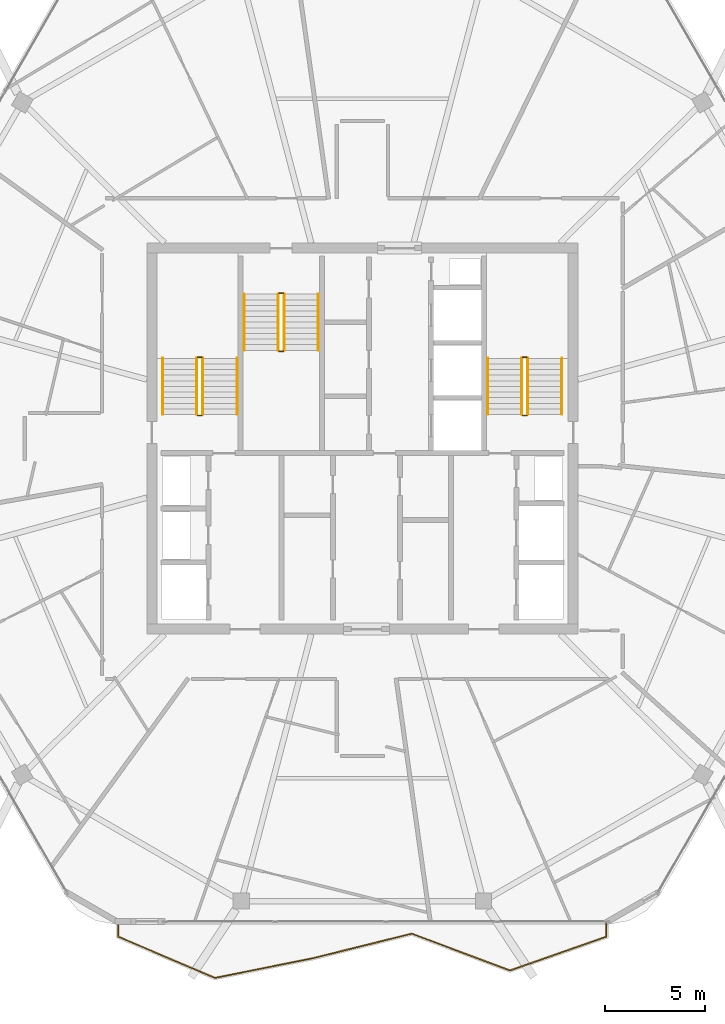
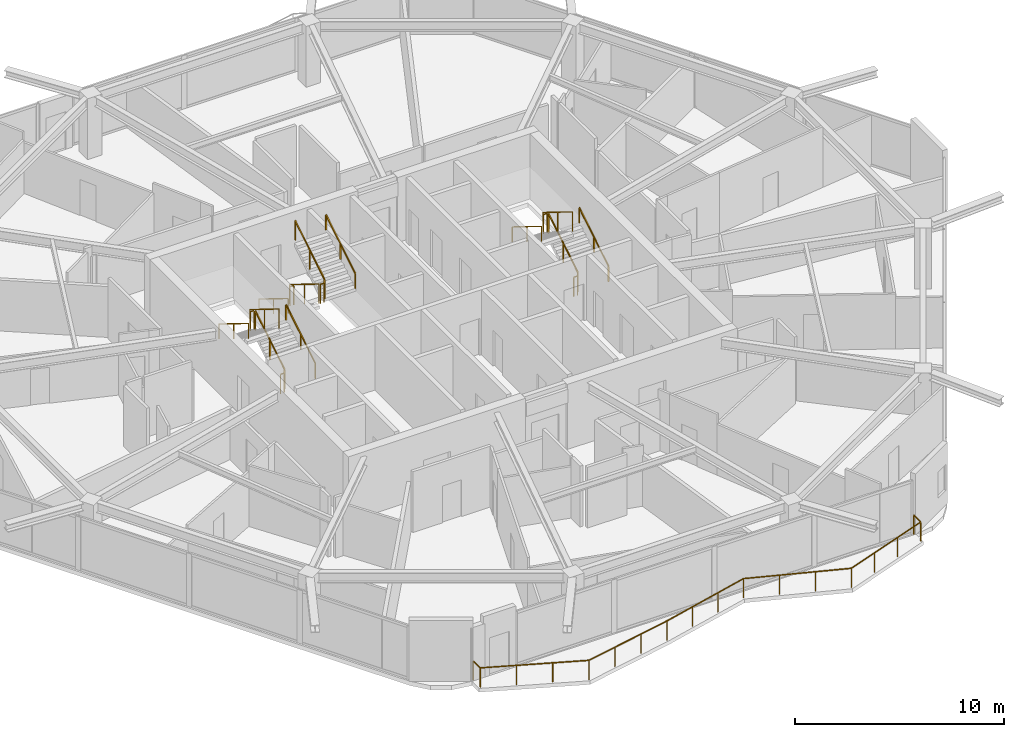
# One storey, part 19 of 20: 19 railings.
"""IFC4 building model written with IfcOpenShell, lengths in metres."""

from ifc_helpers import new_model, si_unit, direction, frame, origin, origin_2d, place, context, subcontext, project, spatial, rectangle, extrude, material, type_object, element, save


model = new_model("IFC4")

# Units and contexts
model_context = context("Model", 3, precision=1e-05, world=origin(), true_north=direction((0.0, 1.0)))
body_context = subcontext(model_context, "Body", "Model", "MODEL_VIEW")
ifc_project = project(units=[si_unit("LENGTHUNIT", "METRE"), si_unit("AREAUNIT", "SQUARE_METRE"), si_unit("VOLUMEUNIT", "CUBIC_METRE"), si_unit("PLANEANGLEUNIT", "RADIAN"), si_unit("MASSUNIT", "GRAM", prefix="KILO")], contexts=[model_context])

# Site, building, storey
site_placement = place(None, origin())
site = spatial("IfcSite", under=ifc_project, at=site_placement, CompositionType="ELEMENT")
building_placement = place(site_placement, origin())
building = spatial("IfcBuilding", under=site, at=building_placement, Name="Zuhravey Tower", CompositionType="ELEMENT")
storey_placement = place(building_placement, frame((0.0, 0.0, 312.0)))
storey = spatial("IfcBuildingStorey", under=building, at=storey_placement, Name="L79", CompositionType="ELEMENT", Elevation=312.0)

# Railings
ifc_material_1 = material(Name="Stainless steel 316 and laminated glass", Category="steel")
railing_type_1 = type_object("IfcRailingType", Name="Balcony & Terrace Guardrail 1150", PredefinedType="BALUSTRADE", material=ifc_material_1)
railing_1_placement = place(storey_placement, frame((48.168212890625, 7.8408203125, 0.0)))
element("IfcRailing", 1, at=railing_1_placement, inside=storey, type_object=railing_type_1, Name="L79 Face 5 Wave Balcony Guardrail GR1", PredefinedType="BALUSTRADE", context=body_context, shape_type="SweptSolid", body=[
    extrude(rectangle(XDim=0.048095703125, YDim=0.048095703125, at=origin_2d()), frame((0.0, -0.001953125, 1.1259765625), z_axis=(0.0, -1.0, 0.0), x_axis=(1.0, 0.0, 0.0)), (0.0, 0.0, 1.0), 0.6650390625),
    extrude(rectangle(XDim=0.048095703125, YDim=0.048095703125, at=origin_2d()), frame((-0.001953125, -0.669677734375, 1.1259765625), z_axis=(-0.943440694039, -0.331541335028, 0.0), x_axis=(0.331541335028, -0.943440694039, 0.0)), (0.0, 0.0, 1.0), 5.09033203125),
    extrude(rectangle(XDim=0.048095703125, YDim=0.048095703125, at=origin_2d()), frame((-4.80810546875, -2.357177734375, 1.1259765625), z_axis=(-0.936513049823, 0.35063272453, 0.0), x_axis=(-0.35063272453, -0.936513049823, 0.0)), (0.0, 0.0, 1.0), 5.230712890625),
    extrude(rectangle(XDim=0.048095703125, YDim=0.048095703125, at=origin_2d()), frame((-9.71044921875, -0.52294921875, 1.1259765625), z_axis=(-0.970511326797, -0.241055521734, 0.0), x_axis=(0.241055521734, -0.970511326797, 0.0)), (0.0, 0.0, 1.0), 5.081298828125),
    extrude(rectangle(XDim=0.048095703125, YDim=0.048095703125, at=origin_2d()), frame((-14.645751953125, -1.748779296875, 1.1259765625), z_axis=(-0.980364792709, -0.197192477588, 0.0), x_axis=(0.197192477588, -0.980364792709, 0.0)), (0.0, 0.0, 1.0), 4.96826171875),
    extrude(rectangle(XDim=0.048095703125, YDim=0.048095703125, at=origin_2d()), frame((-19.520263671875, -2.72802734375, 1.1259765625), z_axis=(-0.919833117153, 0.392309873173, 0.0), x_axis=(-0.392309873173, -0.919833117153, 0.0)), (0.0, 0.0, 1.0), 5.234130859375),
    extrude(rectangle(XDim=0.048095703125, YDim=0.048095703125, at=origin_2d()), frame((-24.33642578125, -0.671875, 1.1259765625), z_axis=(0.0, 1.0, 0.0), x_axis=(-1.0, 0.0, 0.0)), (0.0, 0.0, 1.0), 0.669921875),
    extrude(rectangle(XDim=0.0419921875, YDim=0.0419921875, at=origin_2d()), origin(), (0.0, 0.0, 1.0), 1.099853515625),
    extrude(rectangle(XDim=0.0419921875, YDim=0.0419921875, at=origin_2d()), frame((0.0, -0.6689453125, 0.0)), (0.0, 0.0, 1.0), 1.099853515625),
    extrude(rectangle(XDim=0.0419921875, YDim=0.0419921875, at=origin_2d()), frame((-1.60205078125, -1.23193359375, 0.0)), (0.0, 0.0, 1.0), 1.099853515625),
    extrude(rectangle(XDim=0.0419921875, YDim=0.0419921875, at=origin_2d()), frame((-3.2041015625, -1.794921875, 0.0)), (0.0, 0.0, 1.0), 1.099853515625),
    extrude(rectangle(XDim=0.0419921875, YDim=0.0419921875, at=origin_2d()), frame((-4.80615234375, -2.35791015625, 0.0)), (0.0, 0.0, 1.0), 1.099853515625),
    extrude(rectangle(XDim=0.0419921875, YDim=0.0419921875, at=origin_2d()), frame((-6.440185546875, -1.74609375, 0.0)), (0.0, 0.0, 1.0), 1.099853515625),
    extrude(rectangle(XDim=0.0419921875, YDim=0.0419921875, at=origin_2d()), frame((-8.074462890625, -1.13427734375, 0.0)), (0.0, 0.0, 1.0), 1.099853515625),
    extrude(rectangle(XDim=0.0419921875, YDim=0.0419921875, at=origin_2d()), frame((-9.70849609375, -0.5224609375, 0.0)), (0.0, 0.0, 1.0), 1.099853515625),
    extrude(rectangle(XDim=0.0419921875, YDim=0.0419921875, at=origin_2d()), frame((-11.353515625, -0.93115234375, 0.0)), (0.0, 0.0, 1.0), 1.099853515625),
    extrude(rectangle(XDim=0.0419921875, YDim=0.0419921875, at=origin_2d()), frame((-12.998779296875, -1.339599609375, 0.0)), (0.0, 0.0, 1.0), 1.099853515625),
    extrude(rectangle(XDim=0.0419921875, YDim=0.0419921875, at=origin_2d()), frame((-14.643798828125, -1.748291015625, 0.0)), (0.0, 0.0, 1.0), 1.099853515625),
    extrude(rectangle(XDim=0.0419921875, YDim=0.0419921875, at=origin_2d()), frame((-16.2685546875, -2.0751953125, 0.0)), (0.0, 0.0, 1.0), 1.099853515625),
    extrude(rectangle(XDim=0.0419921875, YDim=0.0419921875, at=origin_2d()), frame((-17.8935546875, -2.40185546875, 0.0)), (0.0, 0.0, 1.0), 1.099853515625),
    extrude(rectangle(XDim=0.0419921875, YDim=0.0419921875, at=origin_2d()), frame((-19.518310546875, -2.728759765625, 0.0)), (0.0, 0.0, 1.0), 1.099853515625),
    extrude(rectangle(XDim=0.0419921875, YDim=0.0419921875, at=origin_2d()), frame((-21.124267578125, -2.043701171875, 0.0)), (0.0, 0.0, 1.0), 1.099853515625),
    extrude(rectangle(XDim=0.0419921875, YDim=0.0419921875, at=origin_2d()), frame((-22.73046875, -1.35888671875, 0.0)), (0.0, 0.0, 1.0), 1.099853515625),
    extrude(rectangle(XDim=0.0419921875, YDim=0.0419921875, at=origin_2d()), frame((-24.33642578125, -0.673828125, 0.0)), (0.0, 0.0, 1.0), 1.099853515625),
    extrude(rectangle(XDim=0.0419921875, YDim=0.0419921875, at=origin_2d()), frame((-24.33642578125, 0.0, 0.0)), (0.0, 0.0, 1.0), 1.099853515625),
])
ifc_material_2 = material(Name="Brushed stainless steel", Category="steel")
railing_type_2 = type_object("IfcRailingType", Name="Stair Wall Handrail 900", PredefinedType="HANDRAIL", material=ifc_material_2)
railing_2_placement = place(storey_placement, frame((29.75, 33.199951171875, 0.172607421875)))
element("IfcRailing", 2, at=railing_2_placement, inside=storey, type_object=railing_type_2, Name="L79 ST1 stair handrail 1", PredefinedType="HANDRAIL", context=body_context, shape_type="SweptSolid", body=[
    extrude(rectangle(XDim=0.048095703125, YDim=0.048095703125, at=origin_2d()), frame((0.0, 0.001708984375, 0.876953125), z_axis=(0.0, 0.851089632645, 0.525020415988), x_axis=(-1.0, 0.0, 0.0)), (0.0, 0.0, 1.0), 3.285888671875),
    extrude(rectangle(XDim=0.0419921875, YDim=0.0419921875, at=origin_2d()), origin(), (0.0, 0.0, 1.0), 0.849853515625),
    extrude(rectangle(XDim=0.0419921875, YDim=0.0419921875, at=origin_2d()), frame((0.0, 1.39990234375, 0.86376953125)), (0.0, 0.0, 1.0), 0.849853515625),
    extrude(rectangle(XDim=0.0419921875, YDim=0.0419921875, at=origin_2d()), frame((0.0, 2.800048828125, 1.727294921875)), (0.0, 0.0, 1.0), 0.849853515625),
])
railing_3_placement = place(storey_placement, frame((26.050048828125, 36.0, 2.07275390625)))
element("IfcRailing", 3, at=railing_3_placement, inside=storey, type_object=railing_type_2, Name="L79 ST1 stair handrail 2", PredefinedType="HANDRAIL", context=body_context, shape_type="SweptSolid", body=[
    extrude(rectangle(XDim=0.048095703125, YDim=0.048095703125, at=origin_2d()), frame((0.0, -0.001708984375, 0.876953125), z_axis=(0.0, -0.851089632645, 0.525020415988), x_axis=(1.0, 0.0, 0.0)), (0.0, 0.0, 1.0), 3.285888671875),
    extrude(rectangle(XDim=0.0419921875, YDim=0.0419921875, at=origin_2d()), origin(), (0.0, 0.0, 1.0), 0.849853515625),
    extrude(rectangle(XDim=0.0419921875, YDim=0.0419921875, at=origin_2d()), frame((0.0, -1.39990234375, 0.86376953125)), (0.0, 0.0, 1.0), 0.849853515625),
    extrude(rectangle(XDim=0.0419921875, YDim=0.0419921875, at=origin_2d()), frame((0.0, -2.800048828125, 1.727294921875)), (0.0, 0.0, 1.0), 0.849853515625),
])
railing_4_placement = place(storey_placement, frame((45.949951171875, 33.199951171875, 0.172607421875)))
element("IfcRailing", 4, at=railing_4_placement, inside=storey, type_object=railing_type_2, Name="L79 ST2 stair handrail 1", PredefinedType="HANDRAIL", context=body_context, shape_type="SweptSolid", body=[
    extrude(rectangle(XDim=0.048095703125, YDim=0.048095703125, at=origin_2d()), frame((0.0, 0.001708984375, 0.876953125), z_axis=(0.0, 0.851089632645, 0.525020415988), x_axis=(-1.0, 0.0, 0.0)), (0.0, 0.0, 1.0), 3.285888671875),
    extrude(rectangle(XDim=0.0419921875, YDim=0.0419921875, at=origin_2d()), origin(), (0.0, 0.0, 1.0), 0.849853515625),
    extrude(rectangle(XDim=0.0419921875, YDim=0.0419921875, at=origin_2d()), frame((0.0, 1.39990234375, 0.86376953125)), (0.0, 0.0, 1.0), 0.849853515625),
    extrude(rectangle(XDim=0.0419921875, YDim=0.0419921875, at=origin_2d()), frame((0.0, 2.800048828125, 1.727294921875)), (0.0, 0.0, 1.0), 0.849853515625),
])
for number, where, name in (
    (5, (42.25, 36.0, 2.07275390625), "L79 ST2 stair handrail 2"),
    (6, (30.10009765625, 39.199951171875, 0.172607421875), "L79 ST3 stair handrail 1"),
):
    element("IfcRailing", number, at=place(storey_placement, frame(where)), inside=storey, type_object=railing_type_2, Name=name, PredefinedType="HANDRAIL", context=body_context, shape_type="SweptSolid", body=[
        extrude(rectangle(XDim=0.048095703125, YDim=0.048095703125, at=origin_2d()), frame((0.0, -0.001708984375, 0.876953125), z_axis=(0.0, -0.851089632645, 0.525020415988), x_axis=(1.0, 0.0, 0.0)), (0.0, 0.0, 1.0), 3.285888671875),
        extrude(rectangle(XDim=0.0419921875, YDim=0.0419921875, at=origin_2d()), origin(), (0.0, 0.0, 1.0), 0.849853515625),
        extrude(rectangle(XDim=0.0419921875, YDim=0.0419921875, at=origin_2d()), frame((0.0, -1.39990234375, 0.86376953125)), (0.0, 0.0, 1.0), 0.849853515625),
        extrude(rectangle(XDim=0.0419921875, YDim=0.0419921875, at=origin_2d()), frame((0.0, -2.800048828125, 1.727294921875)), (0.0, 0.0, 1.0), 0.849853515625),
    ])
railing_5_placement = place(storey_placement, frame((33.800048828125, 36.39990234375, 2.07275390625)))
element("IfcRailing", 7, at=railing_5_placement, inside=storey, type_object=railing_type_2, Name="L79 ST3 stair handrail 2", PredefinedType="HANDRAIL", context=body_context, shape_type="SweptSolid", body=[
    extrude(rectangle(XDim=0.048095703125, YDim=0.048095703125, at=origin_2d()), frame((0.0, 0.001708984375, 0.876953125), z_axis=(0.0, 0.851089632645, 0.525020415988), x_axis=(-1.0, 0.0, 0.0)), (0.0, 0.0, 1.0), 3.285888671875),
    extrude(rectangle(XDim=0.0419921875, YDim=0.0419921875, at=origin_2d()), origin(), (0.0, 0.0, 1.0), 0.849853515625),
    extrude(rectangle(XDim=0.0419921875, YDim=0.0419921875, at=origin_2d()), frame((0.0, 1.39990234375, 0.86376953125)), (0.0, 0.0, 1.0), 0.849853515625),
    extrude(rectangle(XDim=0.0419921875, YDim=0.0419921875, at=origin_2d()), frame((0.0, 2.800048828125, 1.727294921875)), (0.0, 0.0, 1.0), 0.849853515625),
])
ifc_material_3 = material(Name="Painted tubular steel", Category="steel")
railing_type_3 = type_object("IfcRailingType", Name="Stair Well Guardrail 1150", PredefinedType="GUARDRAIL", material=ifc_material_3)
railing_6_placement = place(storey_placement, frame((28.050048828125, 33.199951171875, 0.172607421875)))
element("IfcRailing", 8, at=railing_6_placement, inside=storey, type_object=railing_type_3, Name="L79 ST1 stair guard 1", PredefinedType="GUARDRAIL", context=body_context, shape_type="SweptSolid", body=[
    extrude(rectangle(XDim=0.048095703125, YDim=0.048095703125, at=origin_2d()), frame((0.0, 0.001708984375, 1.126953125), z_axis=(0.0, 0.851089632645, 0.525020415988), x_axis=(-1.0, 0.0, 0.0)), (0.0, 0.0, 1.0), 3.285888671875),
    extrude(rectangle(XDim=0.0419921875, YDim=0.0419921875, at=origin_2d()), origin(), (0.0, 0.0, 1.0), 1.099853515625),
    extrude(rectangle(XDim=0.0419921875, YDim=0.0419921875, at=origin_2d()), frame((0.0, 1.39990234375, 0.86376953125)), (0.0, 0.0, 1.0), 1.099853515625),
    extrude(rectangle(XDim=0.0419921875, YDim=0.0419921875, at=origin_2d()), frame((0.0, 2.800048828125, 1.727294921875)), (0.0, 0.0, 1.0), 1.099853515625),
])
railing_7_placement = place(storey_placement, frame((28.0, 36.050048828125, 1.89990234375)))
element("IfcRailing", 9, at=railing_7_placement, inside=storey, type_object=railing_type_3, Name="L79 ST1 stair guard 2", PredefinedType="GUARDRAIL", context=body_context, shape_type="SweptSolid", body=[
    extrude(rectangle(XDim=0.048095703125, YDim=0.048095703125, at=origin_2d()), frame((-0.001953125, 0.0, 1.1259765625), z_axis=(-1.0, 0.0, 0.0), x_axis=(0.0, -1.0, 0.0)), (0.0, 0.0, 1.0), 0.196044921875),
    extrude(rectangle(XDim=0.0419921875, YDim=0.0419921875, at=origin_2d()), origin(), (0.0, 0.0, 1.0), 1.099853515625),
    extrude(rectangle(XDim=0.0419921875, YDim=0.0419921875, at=origin_2d()), frame((-0.199951171875, 0.0, 0.0)), (0.0, 0.0, 1.0), 1.099853515625),
])
railing_8_placement = place(storey_placement, frame((27.75, 36.0, 2.07275390625)))
element("IfcRailing", 10, at=railing_8_placement, inside=storey, type_object=railing_type_3, Name="L79 ST1 stair guard 3", PredefinedType="GUARDRAIL", context=body_context, shape_type="SweptSolid", body=[
    extrude(rectangle(XDim=0.048095703125, YDim=0.048095703125, at=origin_2d()), frame((0.0, -0.001708984375, 1.126953125), z_axis=(0.0, -0.851089632645, 0.525020415988), x_axis=(1.0, 0.0, 0.0)), (0.0, 0.0, 1.0), 3.285888671875),
    extrude(rectangle(XDim=0.0419921875, YDim=0.0419921875, at=origin_2d()), origin(), (0.0, 0.0, 1.0), 1.099853515625),
    extrude(rectangle(XDim=0.0419921875, YDim=0.0419921875, at=origin_2d()), frame((0.0, -1.39990234375, 0.86376953125)), (0.0, 0.0, 1.0), 1.099853515625),
    extrude(rectangle(XDim=0.0419921875, YDim=0.0419921875, at=origin_2d()), frame((0.0, -2.800048828125, 1.727294921875)), (0.0, 0.0, 1.0), 1.099853515625),
])
railing_9_placement = place(storey_placement, frame((28.0, 33.14990234375, 0.0)))
element("IfcRailing", 11, at=railing_9_placement, inside=storey, type_object=railing_type_3, Name="L79 ST1 stair guard 4", PredefinedType="GUARDRAIL", context=body_context, shape_type="SweptSolid", body=[
    extrude(rectangle(XDim=0.048095703125, YDim=0.048095703125, at=origin_2d()), frame((-0.001953125, 0.0, 1.1259765625), z_axis=(-1.0, 0.0, 0.0), x_axis=(0.0, -1.0, 0.0)), (0.0, 0.0, 1.0), 0.196044921875),
    extrude(rectangle(XDim=0.0419921875, YDim=0.0419921875, at=origin_2d()), origin(), (0.0, 0.0, 1.0), 1.099853515625),
    extrude(rectangle(XDim=0.0419921875, YDim=0.0419921875, at=origin_2d()), frame((-0.199951171875, 0.0, 0.0)), (0.0, 0.0, 1.0), 1.099853515625),
])
railing_10_placement = place(storey_placement, frame((44.25, 33.199951171875, 0.172607421875)))
element("IfcRailing", 12, at=railing_10_placement, inside=storey, type_object=railing_type_3, Name="L79 ST2 stair guard 1", PredefinedType="GUARDRAIL", context=body_context, shape_type="SweptSolid", body=[
    extrude(rectangle(XDim=0.048095703125, YDim=0.048095703125, at=origin_2d()), frame((0.0, 0.001708984375, 1.126953125), z_axis=(0.0, 0.851089632645, 0.525020415988), x_axis=(-1.0, 0.0, 0.0)), (0.0, 0.0, 1.0), 3.285888671875),
    extrude(rectangle(XDim=0.0419921875, YDim=0.0419921875, at=origin_2d()), origin(), (0.0, 0.0, 1.0), 1.099853515625),
    extrude(rectangle(XDim=0.0419921875, YDim=0.0419921875, at=origin_2d()), frame((0.0, 1.39990234375, 0.86376953125)), (0.0, 0.0, 1.0), 1.099853515625),
    extrude(rectangle(XDim=0.0419921875, YDim=0.0419921875, at=origin_2d()), frame((0.0, 2.800048828125, 1.727294921875)), (0.0, 0.0, 1.0), 1.099853515625),
])
railing_11_placement = place(storey_placement, frame((44.199951171875, 36.050048828125, 1.89990234375)))
element("IfcRailing", 13, at=railing_11_placement, inside=storey, type_object=railing_type_3, Name="L79 ST2 stair guard 2", PredefinedType="GUARDRAIL", context=body_context, shape_type="SweptSolid", body=[
    extrude(rectangle(XDim=0.048095703125, YDim=0.048095703125, at=origin_2d()), frame((-0.001953125, 0.0, 1.1259765625), z_axis=(-1.0, 0.0, 0.0), x_axis=(0.0, -1.0, 0.0)), (0.0, 0.0, 1.0), 0.196044921875),
    extrude(rectangle(XDim=0.0419921875, YDim=0.0419921875, at=origin_2d()), origin(), (0.0, 0.0, 1.0), 1.099853515625),
    extrude(rectangle(XDim=0.0419921875, YDim=0.0419921875, at=origin_2d()), frame((-0.199951171875, 0.0, 0.0)), (0.0, 0.0, 1.0), 1.099853515625),
])
railing_12_placement = place(storey_placement, frame((43.949951171875, 36.0, 2.07275390625)))
element("IfcRailing", 14, at=railing_12_placement, inside=storey, type_object=railing_type_3, Name="L79 ST2 stair guard 3", PredefinedType="GUARDRAIL", context=body_context, shape_type="SweptSolid", body=[
    extrude(rectangle(XDim=0.048095703125, YDim=0.048095703125, at=origin_2d()), frame((0.0, -0.001708984375, 1.126953125), z_axis=(0.0, -0.851089632645, 0.525020415988), x_axis=(1.0, 0.0, 0.0)), (0.0, 0.0, 1.0), 3.285888671875),
    extrude(rectangle(XDim=0.0419921875, YDim=0.0419921875, at=origin_2d()), origin(), (0.0, 0.0, 1.0), 1.099853515625),
    extrude(rectangle(XDim=0.0419921875, YDim=0.0419921875, at=origin_2d()), frame((0.0, -1.39990234375, 0.86376953125)), (0.0, 0.0, 1.0), 1.099853515625),
    extrude(rectangle(XDim=0.0419921875, YDim=0.0419921875, at=origin_2d()), frame((0.0, -2.800048828125, 1.727294921875)), (0.0, 0.0, 1.0), 1.099853515625),
])
railing_13_placement = place(storey_placement, frame((44.199951171875, 33.14990234375, 0.0)))
element("IfcRailing", 15, at=railing_13_placement, inside=storey, type_object=railing_type_3, Name="L79 ST2 stair guard 4", PredefinedType="GUARDRAIL", context=body_context, shape_type="SweptSolid", body=[
    extrude(rectangle(XDim=0.048095703125, YDim=0.048095703125, at=origin_2d()), frame((-0.001953125, 0.0, 1.1259765625), z_axis=(-1.0, 0.0, 0.0), x_axis=(0.0, -1.0, 0.0)), (0.0, 0.0, 1.0), 0.196044921875),
    extrude(rectangle(XDim=0.0419921875, YDim=0.0419921875, at=origin_2d()), origin(), (0.0, 0.0, 1.0), 1.099853515625),
    extrude(rectangle(XDim=0.0419921875, YDim=0.0419921875, at=origin_2d()), frame((-0.199951171875, 0.0, 0.0)), (0.0, 0.0, 1.0), 1.099853515625),
])
railing_14_placement = place(storey_placement, frame((31.800048828125, 39.199951171875, 0.172607421875)))
element("IfcRailing", 16, at=railing_14_placement, inside=storey, type_object=railing_type_3, Name="L79 ST3 stair guard 1", PredefinedType="GUARDRAIL", context=body_context, shape_type="SweptSolid", body=[
    extrude(rectangle(XDim=0.048095703125, YDim=0.048095703125, at=origin_2d()), frame((0.0, -0.001708984375, 1.126953125), z_axis=(0.0, -0.851089632645, 0.525020415988), x_axis=(1.0, 0.0, 0.0)), (0.0, 0.0, 1.0), 3.285888671875),
    extrude(rectangle(XDim=0.0419921875, YDim=0.0419921875, at=origin_2d()), origin(), (0.0, 0.0, 1.0), 1.099853515625),
    extrude(rectangle(XDim=0.0419921875, YDim=0.0419921875, at=origin_2d()), frame((0.0, -1.39990234375, 0.86376953125)), (0.0, 0.0, 1.0), 1.099853515625),
    extrude(rectangle(XDim=0.0419921875, YDim=0.0419921875, at=origin_2d()), frame((0.0, -2.800048828125, 1.727294921875)), (0.0, 0.0, 1.0), 1.099853515625),
])
railing_15_placement = place(storey_placement, frame((31.85009765625, 36.35009765625, 1.89990234375)))
element("IfcRailing", 17, at=railing_15_placement, inside=storey, type_object=railing_type_3, Name="L79 ST3 stair guard 2", PredefinedType="GUARDRAIL", context=body_context, shape_type="SweptSolid", body=[
    extrude(rectangle(XDim=0.048095703125, YDim=0.048095703125, at=origin_2d()), frame((0.001953125, 0.0, 1.1259765625), z_axis=(1.0, 0.0, 0.0), x_axis=(0.0, 1.0, 0.0)), (0.0, 0.0, 1.0), 0.196044921875),
    extrude(rectangle(XDim=0.0419921875, YDim=0.0419921875, at=origin_2d()), origin(), (0.0, 0.0, 1.0), 1.099853515625),
    extrude(rectangle(XDim=0.0419921875, YDim=0.0419921875, at=origin_2d()), frame((0.199951171875, 0.0, 0.0)), (0.0, 0.0, 1.0), 1.099853515625),
])
railing_16_placement = place(storey_placement, frame((32.10009765625, 36.39990234375, 2.07275390625)))
element("IfcRailing", 18, at=railing_16_placement, inside=storey, type_object=railing_type_3, Name="L79 ST3 stair guard 3", PredefinedType="GUARDRAIL", context=body_context, shape_type="SweptSolid", body=[
    extrude(rectangle(XDim=0.048095703125, YDim=0.048095703125, at=origin_2d()), frame((0.0, 0.001708984375, 1.126953125), z_axis=(0.0, 0.851089632645, 0.525020415988), x_axis=(-1.0, 0.0, 0.0)), (0.0, 0.0, 1.0), 3.285888671875),
    extrude(rectangle(XDim=0.0419921875, YDim=0.0419921875, at=origin_2d()), origin(), (0.0, 0.0, 1.0), 1.099853515625),
    extrude(rectangle(XDim=0.0419921875, YDim=0.0419921875, at=origin_2d()), frame((0.0, 1.39990234375, 0.86376953125)), (0.0, 0.0, 1.0), 1.099853515625),
    extrude(rectangle(XDim=0.0419921875, YDim=0.0419921875, at=origin_2d()), frame((0.0, 2.800048828125, 1.727294921875)), (0.0, 0.0, 1.0), 1.099853515625),
])
railing_17_placement = place(storey_placement, frame((31.85009765625, 39.25, 0.0)))
element("IfcRailing", 19, at=railing_17_placement, inside=storey, type_object=railing_type_3, Name="L79 ST3 stair guard 4", PredefinedType="GUARDRAIL", context=body_context, shape_type="SweptSolid", body=[
    extrude(rectangle(XDim=0.048095703125, YDim=0.048095703125, at=origin_2d()), frame((0.001953125, 0.0, 1.1259765625), z_axis=(1.0, 0.0, 0.0), x_axis=(0.0, 1.0, 0.0)), (0.0, 0.0, 1.0), 0.196044921875),
    extrude(rectangle(XDim=0.0419921875, YDim=0.0419921875, at=origin_2d()), origin(), (0.0, 0.0, 1.0), 1.099853515625),
    extrude(rectangle(XDim=0.0419921875, YDim=0.0419921875, at=origin_2d()), frame((0.199951171875, 0.0, 0.0)), (0.0, 0.0, 1.0), 1.099853515625),
])

save(model, "model.ifc")
